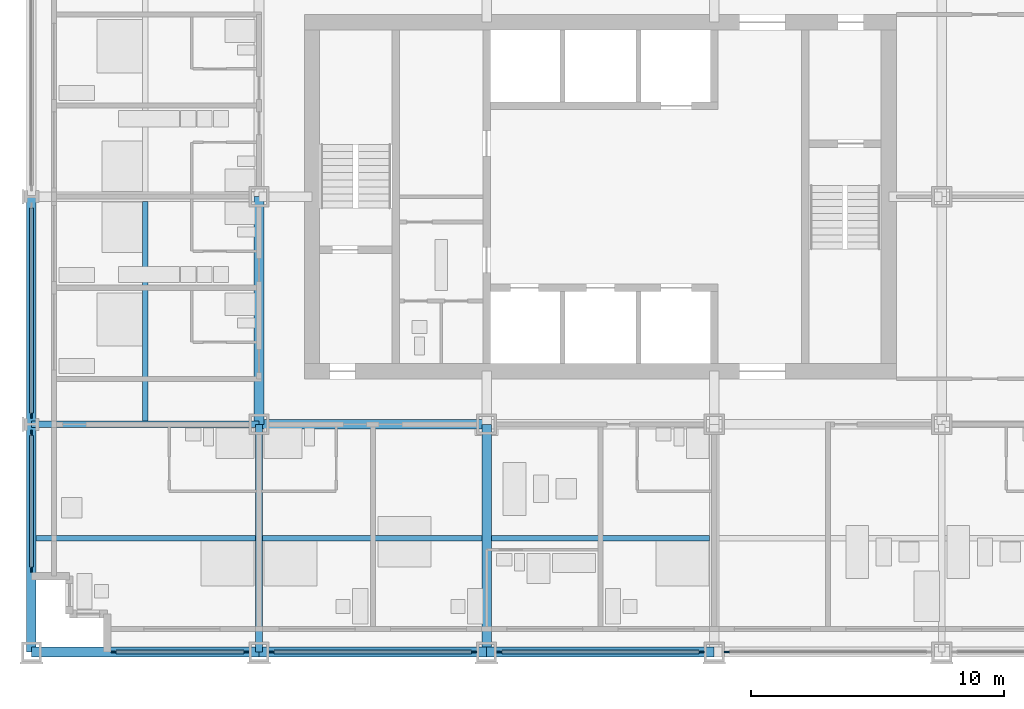
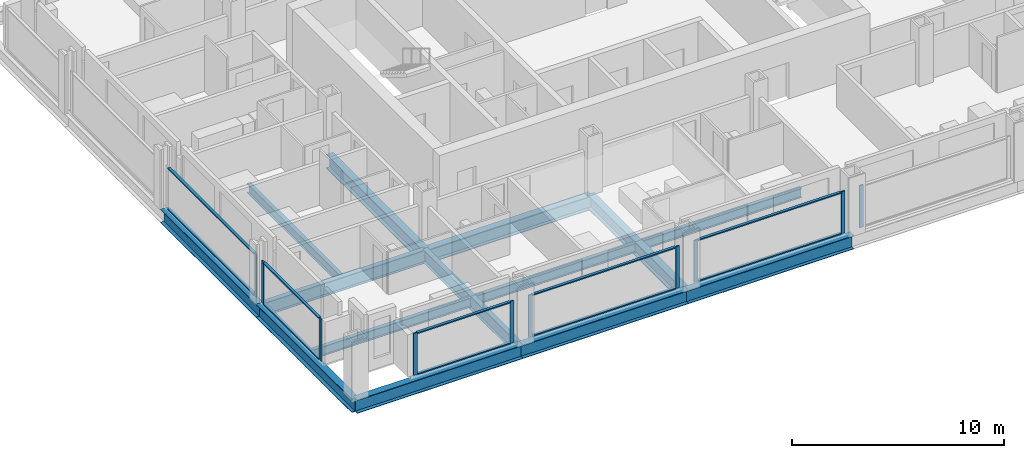
# One storey, part 2 of 18: 20 members, 14 beams, 6 elements without a shape of their own.
"""IFC4 building model written with IfcOpenShell, lengths in metres."""

from ifc_helpers import new_model, si_unit, direction, frame, origin, origin_2d, place, context, subcontext, project, spatial, rectangle, i_section, extrude, material, material_profile, profile_set, type_object, element, aggregate, save


model = new_model("IFC4")

# Units and contexts
model_context = context("Model", 3, precision=1e-05, world=origin(), true_north=direction((0.0, 1.0)))
body_context = subcontext(model_context, "Body", "Model", "MODEL_VIEW")
ifc_project = project(units=[si_unit("LENGTHUNIT", "METRE"), si_unit("AREAUNIT", "SQUARE_METRE"), si_unit("VOLUMEUNIT", "CUBIC_METRE"), si_unit("PLANEANGLEUNIT", "RADIAN"), si_unit("MASSUNIT", "GRAM", prefix="KILO")], contexts=[model_context])

# Site, building, storey
site_placement = place(None, origin())
site = spatial("IfcSite", under=ifc_project, at=site_placement, CompositionType="ELEMENT")
building_placement = place(site_placement, origin())
building = spatial("IfcBuilding", under=site, at=building_placement, Name="Loomwork Tower", CompositionType="ELEMENT")
storey_placement = place(building_placement, frame((0.0, 0.0, 51.800048828125)))
storey = spatial("IfcBuildingStorey", under=building, at=storey_placement, Name="L12", CompositionType="ELEMENT", Elevation=51.800048828125)

# Beams
ifc_material_1 = material(Name="Steel ASTM A992", Category="steel")
ifc_material_profile_1 = material_profile(ifc_material_1, i_section(OverallWidth=0.383544921875, OverallDepth=0.794921875, WebThickness=0.02099609375, FlangeThickness=0.0380859375, at=origin_2d()), Name="W30x235")
ifc_profile_set_1 = profile_set([ifc_material_profile_1], Name="Steel ASTM A992")
beam_type_1 = type_object("IfcBeamType", Name="CORE FLANK GIRDER W30x235", PredefinedType="BEAM", material=ifc_profile_set_1)
for number, where, z_axis, x_axis, name in (
    (1, (9.0, 9.0, -0.59765625), (1.0, 0.0, 0.0), (0.0, 1.0, 0.0), "Core Flank Girder E/3-E/4 L12"),
    (2, (9.0, 9.0, -0.59765625), (0.0, 1.0, 0.0), (-1.0, 0.0, 0.0), "Core Flank Girder E/3-F/3 L12"),
    (3, (18.0, 0.0, -0.59765625), (0.0, 1.0, 0.0), (-1.0, 0.0, 0.0), "Core Flank Girder D/4-E/4 L12"),
):
    element("IfcBeam", number, at=place(storey_placement, frame(where, z_axis=z_axis, x_axis=x_axis)), inside=storey, type_object=beam_type_1, Name=name, PredefinedType="BEAM", context=body_context, shape_type="SweptSolid", body=[
        extrude(i_section(OverallWidth=0.383544921875, OverallDepth=0.794921875, WebThickness=0.02099609375, FlangeThickness=0.0380859375, at=origin_2d()), origin(), (0.0, 0.0, 1.0), 9.0),
    ])
ifc_material_2 = material(Name="Steel ASTM A992", Category="steel")
ifc_material_profile_2 = material_profile(ifc_material_2, i_section(OverallWidth=0.2666015625, OverallDepth=0.761962890625, WebThickness=0.014404296875, FlangeThickness=0.021484375, at=origin_2d()), Name="W30x116")
ifc_profile_set_2 = profile_set([ifc_material_profile_2], Name="Steel ASTM A992")
beam_type_2 = type_object("IfcBeamType", Name="FLOOR GIRDER W30x116", PredefinedType="BEAM", material=ifc_profile_set_2)
for number, where, z_axis, x_axis, name in (
    (4, (0.0, 9.0, -0.5810546875), (1.0, 0.0, 0.0), (0.0, 1.0, 0.0), "Floor Girder E/2-E/3 L12"),
    (5, (9.0, 0.0, -0.5810546875), (0.0, 1.0, 0.0), (-1.0, 0.0, 0.0), "Floor Girder D/3-E/3 L12"),
):
    element("IfcBeam", number, at=place(storey_placement, frame(where, z_axis=z_axis, x_axis=x_axis)), inside=storey, type_object=beam_type_2, Name=name, PredefinedType="BEAM", context=body_context, shape_type="SweptSolid", body=[
        extrude(i_section(OverallWidth=0.2666015625, OverallDepth=0.761962890625, WebThickness=0.014404296875, FlangeThickness=0.021484375, at=origin_2d()), origin(), (0.0, 0.0, 1.0), 9.0),
    ])
ifc_material_3 = material(Name="Steel ASTM A992", Category="steel")
ifc_material_profile_3 = material_profile(ifc_material_3, i_section(OverallWidth=0.2109375, OverallDepth=0.53857421875, WebThickness=0.011474609375, FlangeThickness=0.018798828125, at=origin_2d()), Name="W21x73")
ifc_profile_set_3 = profile_set([ifc_material_profile_3], Name="Steel ASTM A992")
beam_type_3 = type_object("IfcBeamType", Name="FLOOR JOIST W21x73", PredefinedType="JOIST", material=ifc_profile_set_3)
beam_1_placement = place(storey_placement, frame((0.18994140625, 4.5, -0.46923828125), z_axis=(1.0, 0.0, 0.0), x_axis=(0.0, 1.0, 0.0)))
element("IfcBeam", 6, at=beam_1_placement, inside=storey, type_object=beam_type_3, Name="Floor Joist 0.000,4.500-9.000,4.500 L12", PredefinedType="JOIST", context=body_context, shape_type="SweptSolid", body=[
    extrude(i_section(OverallWidth=0.2109375, OverallDepth=0.53857421875, WebThickness=0.011474609375, FlangeThickness=0.018798828125, at=origin_2d()), origin(), (0.0, 0.0, 1.0), 8.677001953125),
])
for number, where, z_axis, x_axis, name in (
    (7, (4.5, 9.133056640625, -0.46923828125), (0.0, 1.0, 0.0), (-1.0, 0.0, 0.0), "Floor Joist 4.500,9.000-4.500,18.000 L12"),
    (8, (9.133056640625, 4.5, -0.46923828125), (1.0, 0.0, 0.0), (0.0, 1.0, 0.0), "Floor Joist 9.000,4.500-18.000,4.500 L12"),
):
    element("IfcBeam", number, at=place(storey_placement, frame(where, z_axis=z_axis, x_axis=x_axis)), inside=storey, type_object=beam_type_3, Name=name, PredefinedType="JOIST", context=body_context, shape_type="SweptSolid", body=[
        extrude(i_section(OverallWidth=0.2109375, OverallDepth=0.53857421875, WebThickness=0.011474609375, FlangeThickness=0.018798828125, at=origin_2d()), origin(), (0.0, 0.0, 1.0), 8.676025390625),
    ])
beam_2_placement = place(storey_placement, frame((18.19091796875, 4.5, -0.46923828125), z_axis=(1.0, 0.0, 0.0), x_axis=(0.0, 1.0, 0.0)))
element("IfcBeam", 9, at=beam_2_placement, inside=storey, type_object=beam_type_3, Name="Floor Joist 18.000,4.500-27.000,4.500 L12", PredefinedType="JOIST", context=body_context, shape_type="SweptSolid", body=[
    extrude(i_section(OverallWidth=0.2109375, OverallDepth=0.53857421875, WebThickness=0.011474609375, FlangeThickness=0.018798828125, at=origin_2d()), origin(), (0.0, 0.0, 1.0), 8.6181640625),
])

# Curtain wall, members
ifc_material_4 = material(Name="Aluminium curtain wall frame", Category="aluminium")
curtain_wall_type = type_object("IfcCurtainWallType", Name="Outer skin glazing hotel", PredefinedType="NOTDEFINED", material=ifc_material_4)
curtain_wall_1_placement = place(storey_placement, origin())
curtain_wall_1 = element("IfcCurtainWall", 10, at=curtain_wall_1_placement, inside=storey, type_object=curtain_wall_type, Name="Outer skin glazing hotel cw/S-0", PredefinedType="NOTDEFINED")
ifc_material_5 = material(Name="Aluminium curtain wall frame", Category="aluminium")
ifc_material_profile_4 = material_profile(ifc_material_5, rectangle(XDim=0.06494140625, YDim=0.199951171875, at=origin_2d()), Name="AL 65x200")
ifc_profile_set_4 = profile_set([ifc_material_profile_4], Name="Aluminium curtain wall frame")
member_type_1 = type_object("IfcMemberType", Name="Outer skin glazing hotel mullion", PredefinedType="MULLION", material=ifc_profile_set_4)
member_1_placement = place(storey_placement, frame((3.25, 0.0, 0.0), z_axis=(0.0, 0.0, 1.0), x_axis=(0.0, 1.0, 0.0)))
member_1 = element("IfcMember", 11, at=member_1_placement, type_object=member_type_1, Name="CW1 mullion 1", PredefinedType="MULLION", context=body_context, shape_type="SweptSolid", body=[
    extrude(rectangle(XDim=0.06494140625, YDim=0.199951171875, at=origin_2d()), origin(), (0.0, 0.0, 1.0), 2.420166015625),
])
member_2_placement = place(storey_placement, frame((8.5, 0.0, 0.0), z_axis=(0.0, 0.0, 1.0), x_axis=(0.0, 1.0, 0.0)))
member_2 = element("IfcMember", 12, at=member_2_placement, type_object=member_type_1, Name="CW1 mullion 2", PredefinedType="MULLION", context=body_context, shape_type="SweptSolid", body=[
    extrude(rectangle(XDim=0.06494140625, YDim=0.199951171875, at=origin_2d()), origin(), (0.0, 0.0, 1.0), 2.420166015625),
])

curtain_wall_2_placement = place(storey_placement, origin())
curtain_wall_2 = element("IfcCurtainWall", 13, at=curtain_wall_2_placement, inside=storey, type_object=curtain_wall_type, Name="Outer skin glazing hotel cw/S-9", PredefinedType="NOTDEFINED")
member_3_placement = place(storey_placement, frame((9.5, 0.0, 0.0), z_axis=(0.0, 0.0, 1.0), x_axis=(0.0, 1.0, 0.0)))
member_3 = element("IfcMember", 14, at=member_3_placement, type_object=member_type_1, Name="CW1 mullion 1", PredefinedType="MULLION", context=body_context, shape_type="SweptSolid", body=[
    extrude(rectangle(XDim=0.06494140625, YDim=0.199951171875, at=origin_2d()), origin(), (0.0, 0.0, 1.0), 2.420166015625),
])
member_4_placement = place(storey_placement, frame((17.5, 0.0, 0.0), z_axis=(0.0, 0.0, 1.0), x_axis=(0.0, 1.0, 0.0)))
member_4 = element("IfcMember", 15, at=member_4_placement, type_object=member_type_1, Name="CW1 mullion 2", PredefinedType="MULLION", context=body_context, shape_type="SweptSolid", body=[
    extrude(rectangle(XDim=0.06494140625, YDim=0.199951171875, at=origin_2d()), origin(), (0.0, 0.0, 1.0), 2.420166015625),
])

curtain_wall_3_placement = place(storey_placement, origin())
curtain_wall_3 = element("IfcCurtainWall", 16, at=curtain_wall_3_placement, inside=storey, type_object=curtain_wall_type, Name="Outer skin glazing hotel cw/S-18", PredefinedType="NOTDEFINED")
member_5_placement = place(storey_placement, frame((18.5, 0.0, 0.0), z_axis=(0.0, 0.0, 1.0), x_axis=(0.0, 1.0, 0.0)))
member_5 = element("IfcMember", 17, at=member_5_placement, type_object=member_type_1, Name="CW1 mullion 1", PredefinedType="MULLION", context=body_context, shape_type="SweptSolid", body=[
    extrude(rectangle(XDim=0.06494140625, YDim=0.199951171875, at=origin_2d()), origin(), (0.0, 0.0, 1.0), 2.420166015625),
])
member_6_placement = place(storey_placement, frame((26.5, 0.0, 0.0), z_axis=(0.0, 0.0, 1.0), x_axis=(0.0, 1.0, 0.0)))
member_6 = element("IfcMember", 18, at=member_6_placement, type_object=member_type_1, Name="CW1 mullion 2", PredefinedType="MULLION", context=body_context, shape_type="SweptSolid", body=[
    extrude(rectangle(XDim=0.06494140625, YDim=0.199951171875, at=origin_2d()), origin(), (0.0, 0.0, 1.0), 2.420166015625),
])

# Curtain wall, member
curtain_wall_4_placement = place(storey_placement, origin())
curtain_wall_4 = element("IfcCurtainWall", 19, at=curtain_wall_4_placement, inside=storey, type_object=curtain_wall_type, Name="Outer skin glazing hotel cw/S-27", PredefinedType="NOTDEFINED")
member_7_placement = place(storey_placement, frame((27.5, 0.0, 0.0), z_axis=(0.0, 0.0, 1.0), x_axis=(0.0, 1.0, 0.0)))
member_7 = element("IfcMember", 20, at=member_7_placement, type_object=member_type_1, Name="CW1 mullion 1", PredefinedType="MULLION", context=body_context, shape_type="SweptSolid", body=[
    extrude(rectangle(XDim=0.06494140625, YDim=0.199951171875, at=origin_2d()), origin(), (0.0, 0.0, 1.0), 2.420166015625),
])
aggregate(curtain_wall_4, [member_7])

# Curtain wall, members
curtain_wall_5_placement = place(storey_placement, origin())
curtain_wall_5 = element("IfcCurtainWall", 21, at=curtain_wall_5_placement, inside=storey, type_object=curtain_wall_type, Name="Outer skin glazing hotel cw/W-0", PredefinedType="NOTDEFINED")
member_8_placement = place(storey_placement, frame((0.0, 8.6611328125, 0.0), z_axis=(0.0, 0.0, 1.0), x_axis=(1.0, 0.0, 0.0)))
member_8 = element("IfcMember", 22, at=member_8_placement, type_object=member_type_1, Name="CW1 mullion 1", PredefinedType="MULLION", context=body_context, shape_type="SweptSolid", body=[
    extrude(rectangle(XDim=0.06494140625, YDim=0.199951171875, at=origin_2d()), origin(), (0.0, 0.0, 1.0), 2.420166015625),
])
member_9_placement = place(storey_placement, frame((0.0, 3.25, 0.0), z_axis=(0.0, 0.0, 1.0), x_axis=(1.0, 0.0, 0.0)))
member_9 = element("IfcMember", 23, at=member_9_placement, type_object=member_type_1, Name="CW1 mullion 2", PredefinedType="MULLION", context=body_context, shape_type="SweptSolid", body=[
    extrude(rectangle(XDim=0.06494140625, YDim=0.199951171875, at=origin_2d()), origin(), (0.0, 0.0, 1.0), 2.420166015625),
])

# Curtain wall, member
curtain_wall_6_placement = place(storey_placement, origin())
curtain_wall_6 = element("IfcCurtainWall", 24, at=curtain_wall_6_placement, inside=storey, type_object=curtain_wall_type, Name="Outer skin glazing hotel cw/W-9", PredefinedType="NOTDEFINED")
member_10_placement = place(storey_placement, frame((0.0, 9.3388671875, 0.0), z_axis=(0.0, 0.0, 1.0), x_axis=(1.0, 0.0, 0.0)))
member_10 = element("IfcMember", 25, at=member_10_placement, type_object=member_type_1, Name="CW1 mullion 2", PredefinedType="MULLION", context=body_context, shape_type="SweptSolid", body=[
    extrude(rectangle(XDim=0.06494140625, YDim=0.199951171875, at=origin_2d()), origin(), (0.0, 0.0, 1.0), 2.420166015625),
])

# Member
ifc_material_6 = material(Name="Aluminium curtain wall frame", Category="aluminium")
ifc_material_profile_5 = material_profile(ifc_material_6, rectangle(XDim=0.14990234375, YDim=0.06494140625, at=origin_2d()), Name="AL 65x150")
ifc_profile_set_5 = profile_set([ifc_material_profile_5], Name="Aluminium curtain wall frame")
member_type_2 = type_object("IfcMemberType", Name="Outer skin glazing hotel transom", PredefinedType="USERDEFINED", material=ifc_profile_set_5)
member_11_placement = place(storey_placement, frame((3.35009765625, 0.0, 0.032470703125), z_axis=(1.0, 0.0, 0.0), x_axis=(0.0, 1.0, 0.0)))
member_11 = element("IfcMember", 26, at=member_11_placement, type_object=member_type_2, Name="CW1 transom 1.1", ObjectType="TRANSOM", PredefinedType="USERDEFINED", context=body_context, shape_type="SweptSolid", body=[
    extrude(rectangle(XDim=0.14990234375, YDim=0.06494140625, at=origin_2d()), origin(), (0.0, 0.0, 1.0), 5.0498046875),
])

member_12_placement = place(storey_placement, frame((3.35009765625, 0.0, 2.3876953125), z_axis=(1.0, 0.0, 0.0), x_axis=(0.0, 1.0, 0.0)))
member_12 = element("IfcMember", 27, at=member_12_placement, type_object=member_type_2, Name="CW1 transom 1.2", ObjectType="TRANSOM", PredefinedType="USERDEFINED", context=body_context, shape_type="SweptSolid", body=[
    extrude(rectangle(XDim=0.14990234375, YDim=0.06494140625, at=origin_2d()), origin(), (0.0, 0.0, 1.0), 5.0498046875),
])

aggregate(curtain_wall_1, [member_1, member_2, member_11, member_12])

member_13_placement = place(storey_placement, frame((9.60009765625, 0.0, 0.032470703125), z_axis=(1.0, 0.0, 0.0), x_axis=(0.0, 1.0, 0.0)))
member_13 = element("IfcMember", 28, at=member_13_placement, type_object=member_type_2, Name="CW1 transom 1.1", ObjectType="TRANSOM", PredefinedType="USERDEFINED", context=body_context, shape_type="SweptSolid", body=[
    extrude(rectangle(XDim=0.14990234375, YDim=0.06494140625, at=origin_2d()), origin(), (0.0, 0.0, 1.0), 7.7998046875),
])

member_14_placement = place(storey_placement, frame((9.60009765625, 0.0, 2.3876953125), z_axis=(1.0, 0.0, 0.0), x_axis=(0.0, 1.0, 0.0)))
member_14 = element("IfcMember", 29, at=member_14_placement, type_object=member_type_2, Name="CW1 transom 1.2", ObjectType="TRANSOM", PredefinedType="USERDEFINED", context=body_context, shape_type="SweptSolid", body=[
    extrude(rectangle(XDim=0.14990234375, YDim=0.06494140625, at=origin_2d()), origin(), (0.0, 0.0, 1.0), 7.7998046875),
])

aggregate(curtain_wall_2, [member_3, member_4, member_13, member_14])

member_15_placement = place(storey_placement, frame((18.60009765625, 0.0, 0.032470703125), z_axis=(1.0, 0.0, 0.0), x_axis=(0.0, 1.0, 0.0)))
member_15 = element("IfcMember", 30, at=member_15_placement, type_object=member_type_2, Name="CW1 transom 1.1", ObjectType="TRANSOM", PredefinedType="USERDEFINED", context=body_context, shape_type="SweptSolid", body=[
    extrude(rectangle(XDim=0.14990234375, YDim=0.06494140625, at=origin_2d()), origin(), (0.0, 0.0, 1.0), 7.7998046875),
])

member_16_placement = place(storey_placement, frame((18.60009765625, 0.0, 2.3876953125), z_axis=(1.0, 0.0, 0.0), x_axis=(0.0, 1.0, 0.0)))
member_16 = element("IfcMember", 31, at=member_16_placement, type_object=member_type_2, Name="CW1 transom 1.2", ObjectType="TRANSOM", PredefinedType="USERDEFINED", context=body_context, shape_type="SweptSolid", body=[
    extrude(rectangle(XDim=0.14990234375, YDim=0.06494140625, at=origin_2d()), origin(), (0.0, 0.0, 1.0), 7.7998046875),
])

aggregate(curtain_wall_3, [member_5, member_6, member_15, member_16])

member_17_placement = place(storey_placement, frame((0.0, 8.561279296875, 0.032470703125), z_axis=(0.0, -1.0, 0.0), x_axis=(1.0, 0.0, 0.0)))
member_17 = element("IfcMember", 32, at=member_17_placement, type_object=member_type_2, Name="CW1 transom 1.1", ObjectType="TRANSOM", PredefinedType="USERDEFINED", context=body_context, shape_type="SweptSolid", body=[
    extrude(rectangle(XDim=0.14990234375, YDim=0.06494140625, at=origin_2d()), origin(), (0.0, 0.0, 1.0), 5.211181640625),
])

member_18_placement = place(storey_placement, frame((0.0, 8.561279296875, 2.3876953125), z_axis=(0.0, -1.0, 0.0), x_axis=(1.0, 0.0, 0.0)))
member_18 = element("IfcMember", 33, at=member_18_placement, type_object=member_type_2, Name="CW1 transom 1.2", ObjectType="TRANSOM", PredefinedType="USERDEFINED", context=body_context, shape_type="SweptSolid", body=[
    extrude(rectangle(XDim=0.14990234375, YDim=0.06494140625, at=origin_2d()), origin(), (0.0, 0.0, 1.0), 5.211181640625),
])

aggregate(curtain_wall_5, [member_8, member_9, member_17, member_18])

member_19_placement = place(storey_placement, frame((0.0, 17.561279296875, 0.032470703125), z_axis=(0.0, -1.0, 0.0), x_axis=(1.0, 0.0, 0.0)))
member_19 = element("IfcMember", 34, at=member_19_placement, type_object=member_type_2, Name="CW1 transom 1.1", ObjectType="TRANSOM", PredefinedType="USERDEFINED", context=body_context, shape_type="SweptSolid", body=[
    extrude(rectangle(XDim=0.14990234375, YDim=0.06494140625, at=origin_2d()), origin(), (0.0, 0.0, 1.0), 8.12255859375),
])

member_20_placement = place(storey_placement, frame((0.0, 17.561279296875, 2.3876953125), z_axis=(0.0, -1.0, 0.0), x_axis=(1.0, 0.0, 0.0)))
member_20 = element("IfcMember", 35, at=member_20_placement, type_object=member_type_2, Name="CW1 transom 1.2", ObjectType="TRANSOM", PredefinedType="USERDEFINED", context=body_context, shape_type="SweptSolid", body=[
    extrude(rectangle(XDim=0.14990234375, YDim=0.06494140625, at=origin_2d()), origin(), (0.0, 0.0, 1.0), 8.12255859375),
])

aggregate(curtain_wall_6, [member_10, member_19, member_20])

# Beams
ifc_material_7 = material(Name="Steel ASTM A992", Category="steel")
ifc_material_profile_6 = material_profile(ifc_material_7, i_section(OverallWidth=0.381103515625, OverallDepth=0.77978515625, WebThickness=0.01806640625, FlangeThickness=0.0302734375, at=origin_2d()), Name="W30x191")
ifc_profile_set_6 = profile_set([ifc_material_profile_6], Name="Steel ASTM A992")
beam_type_4 = type_object("IfcBeamType", Name="SPANDREL GIRDER W30x191", PredefinedType="SPANDREL", material=ifc_profile_set_6)
for number, where, z_axis, x_axis, name in (
    (36, (0.0, 0.0, -0.58984375), (1.0, 0.0, 0.0), (0.0, 1.0, 0.0), "Spandrel Girder D/2-D/3 L12"),
    (37, (9.0, 0.0, -0.58984375), (1.0, 0.0, 0.0), (0.0, 1.0, 0.0), "Spandrel Girder D/3-D/4 L12"),
    (38, (18.0, 0.0, -0.58984375), (1.0, 0.0, 0.0), (0.0, 1.0, 0.0), "Spandrel Girder D/4-D/5 L12"),
    (39, (0.0, 0.0, -0.58984375), (0.0, 1.0, 0.0), (-1.0, 0.0, 0.0), "Spandrel Girder D/2-E/2 L12"),
    (40, (0.0, 9.0, -0.58984375), (0.0, 1.0, 0.0), (-1.0, 0.0, 0.0), "Spandrel Girder E/2-F/2 L12"),
):
    element("IfcBeam", number, at=place(storey_placement, frame(where, z_axis=z_axis, x_axis=x_axis)), inside=storey, type_object=beam_type_4, Name=name, PredefinedType="SPANDREL", context=body_context, shape_type="SweptSolid", body=[
        extrude(i_section(OverallWidth=0.381103515625, OverallDepth=0.77978515625, WebThickness=0.01806640625, FlangeThickness=0.0302734375, at=origin_2d()), origin(), (0.0, 0.0, 1.0), 9.0),
    ])

save(model, "model.ifc")
